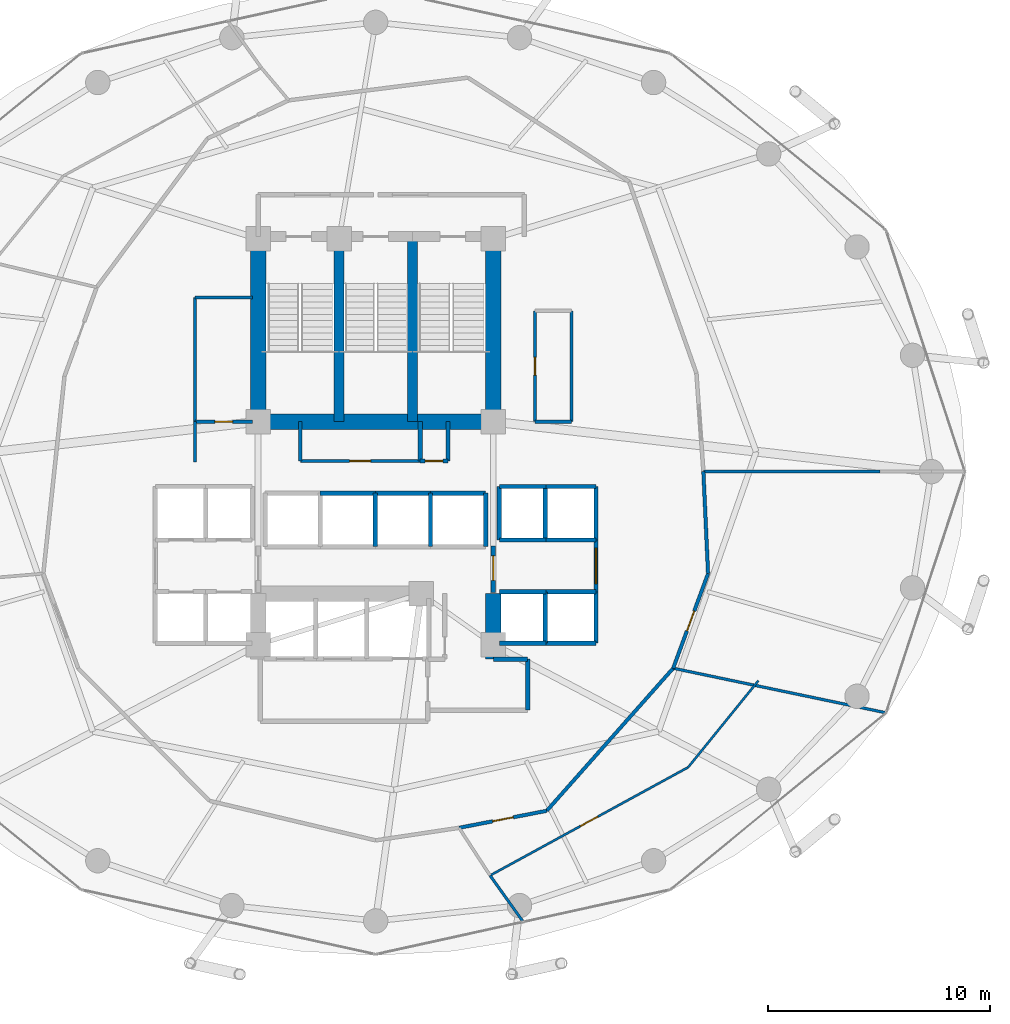
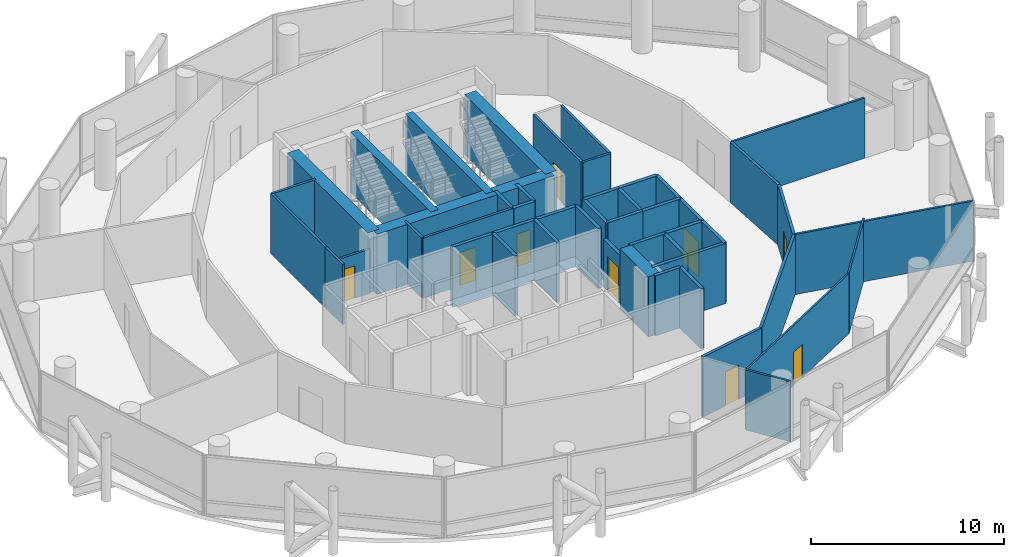
# One storey, part 22 of 24: 50 walls, 9 doors, 9 openings.
"""IFC4 building model written with IfcOpenShell, lengths in metres."""

from ifc_helpers import new_model, si_unit, direction, frame, frame_2d, origin, place, context, subcontext, project, spatial, rectangle, extrude, material, layer, layer_set, type_object, element, fill, save


model = new_model("IFC4")

# Units and contexts
model_context = context("Model", 3, precision=1e-05, world=origin(), true_north=direction((0.0, 1.0)))
body_context = subcontext(model_context, "Body", "Model", "MODEL_VIEW")
ifc_project = project(units=[si_unit("LENGTHUNIT", "METRE"), si_unit("AREAUNIT", "SQUARE_METRE"), si_unit("VOLUMEUNIT", "CUBIC_METRE"), si_unit("PLANEANGLEUNIT", "RADIAN"), si_unit("MASSUNIT", "GRAM", prefix="KILO")], contexts=[model_context])

# Site, building, storey
site_placement = place(None, origin())
site = spatial("IfcSite", under=ifc_project, at=site_placement, CompositionType="ELEMENT")
building_placement = place(site_placement, origin())
building = spatial("IfcBuilding", under=site, at=building_placement, Name="Nuhasar Tower", CompositionType="ELEMENT")
storey_placement = place(building_placement, frame((0.0, 0.0, 81.75)))
storey = spatial("IfcBuildingStorey", under=building, at=storey_placement, Name="L19", CompositionType="ELEMENT", Elevation=81.75)

# Walls
ifc_material_1 = material(Name="Concrete C50/60", Category="concrete")
ifc_layer_1 = layer(ifc_material_1, 0.449951171875)
ifc_layer_set_1 = layer_set([ifc_layer_1], Name="Concrete C50/60")
wall_type_1 = type_object("IfcWallType", Name="WL-CORE-450", PredefinedType="SHEAR", material=ifc_layer_set_1)
for number, where, z_axis, x_axis, name in (
    (1, (37.35009765625, 29.050048828125, 0.0), (0.0, 0.0, 1.0), (0.0, 1.0, 0.0), "L19 Stairwell Shear Wall ST01-E"),
    (2, (40.64990234375, 29.050048828125, 0.0), (0.0, 0.0, 1.0), (0.0, 1.0, 0.0), "L19 Stairwell Shear Wall ST03-E"),
):
    element("IfcWall", number, at=place(storey_placement, frame(where, z_axis=z_axis, x_axis=x_axis)), inside=storey, type_object=wall_type_1, Name=name, PredefinedType="SHEAR", context=body_context, shape_type="SweptSolid", body=[
        extrude(rectangle(XDim=8.349853515625, YDim=0.449951171875, at=frame_2d((4.1748046875, 0.0))), origin(), (0.0, 0.0, 1.0), 3.800048828125),
    ])
ifc_material_2 = material(Name="Concrete C65/80", Category="concrete")
ifc_layer_2 = layer(ifc_material_2, 0.699951171875)
ifc_layer_set_2 = layer_set([ifc_layer_2], Name="Concrete C65/80")
wall_type_2 = type_object("IfcWallType", Name="WL-CORE-700", PredefinedType="SHEAR", material=ifc_layer_set_2)
for number, where, z_axis, x_axis, name in (
    (3, (33.699951171875, 29.050048828125, 0.0), (0.0, 0.0, 1.0), (0.0, 1.0, 0.0), "L19 Core Shear Wall CW-NW CW-700"),
    (4, (44.300048828125, 29.050048828125, 0.0), (0.0, 0.0, 1.0), (0.0, 1.0, 0.0), "L19 Core Shear Wall CW-NE CW-700"),
):
    element("IfcWall", number, at=place(storey_placement, frame(where, z_axis=z_axis, x_axis=x_axis)), inside=storey, type_object=wall_type_2, Name=name, PredefinedType="SHEAR", context=body_context, shape_type="SweptSolid", body=[
        extrude(rectangle(XDim=8.349853515625, YDim=0.699951171875, at=frame_2d((4.1748046875, 0.0))), origin(), (0.0, 0.0, 1.0), 3.800048828125),
    ])
wall_1_placement = place(storey_placement, frame((44.300048828125, 18.35009765625, 0.0), z_axis=(0.0, 0.0, 1.0), x_axis=(0.0, 1.0, 0.0)))
element("IfcWall", 5, at=wall_1_placement, inside=storey, type_object=wall_type_2, Name="L19 Core Shear Wall CW-SE CW-700", PredefinedType="SHEAR", context=body_context, shape_type="SweptSolid", body=[
    extrude(rectangle(XDim=2.949951171875, YDim=0.699951171875, at=frame_2d((1.47509765625, 0.0))), origin(), (0.0, 0.0, 1.0), 3.800048828125),
])
wall_2_placement = place(storey_placement, frame((33.699951171875, 29.050048828125, 0.0), z_axis=(0.0, 0.0, 1.0), x_axis=(1.0, 0.0, 0.0)))
element("IfcWall", 6, at=wall_2_placement, inside=storey, type_object=wall_type_2, Name="L19 Core Shear Wall CW-N1 CW-700", PredefinedType="SHEAR", context=body_context, shape_type="SweptSolid", body=[
    extrude(rectangle(XDim=10.60009765625, YDim=0.699951171875, at=frame_2d((5.300048828125, 0.0))), origin(), (0.0, 0.0, 1.0), 3.800048828125),
])

# Wall, opening, door
ifc_material_3 = material(Name="Gypsum Board", Category="gypsum")
ifc_layer_3 = layer(ifc_material_3, 0.159912109375)
ifc_layer_set_3 = layer_set([ifc_layer_3], Name="Gypsum Board")
wall_type_3 = type_object("IfcWallType", Name="WL-CORR-160", PredefinedType="PARTITIONING", material=ifc_layer_set_3)
wall_3_placement = place(storey_placement, frame((46.7099609375, 11.513916015625, 0.0), z_axis=(0.0, 0.0, 1.0), x_axis=(-0.981643469131, -0.1907251937, 0.0)))
wall_3 = element("IfcWall", 7, at=wall_3_placement, inside=storey, type_object=wall_type_3, Name="L19 Interior Partition CORR-38", PredefinedType="PARTITIONING", context=body_context, shape_type="SweptSolid", body=[
    extrude(rectangle(XDim=4.02587890625, YDim=0.159912109375, at=frame_2d((2.012939453125, 0.0))), origin(), (0.0, 0.0, 1.0), 3.800048828125),
])
opening_1_placement = place(wall_3_placement, frame((1.5380859375, 0.0, 0.0)))
opening_1 = element("IfcOpeningElement", 8, at=opening_1_placement, cuts=wall_3, Name="Opening DO-01", PredefinedType="OPENING", context=body_context, shape_type="SweptSolid", body=[
    extrude(rectangle(XDim=0.949951171875, YDim=2.14990234375, at=frame_2d((0.47509765625, 1.074951171875))), frame((0.0, 0.08984375, 0.0), z_axis=(0.0, -1.0, 0.0), x_axis=(1.0, 0.0, 0.0)), (0.0, 0.0, 1.0), 0.179931640625),
])
ifc_material_4 = material(Name="Timber Oak", Category="wood")
door_type_1 = type_object("IfcDoorType", Name="DR-OFFICE-FD30-950", OperationType="NOTDEFINED", PredefinedType="DOOR", material=ifc_material_4)
door_1_placement = place(opening_1_placement, origin())
door_1 = element("IfcDoor", 9, at=door_1_placement, inside=storey, type_object=door_type_1, Name="L19 Press Briefing Room Entry Door", OperationType="SINGLE_SWING_LEFT", OverallHeight=2.14990234375, OverallWidth=0.949951171875, PredefinedType="DOOR", context=body_context, shape_type="SweptSolid", body=[
    extrude(rectangle(XDim=0.949951171875, YDim=2.14990234375, at=frame_2d((0.47509765625, 1.074951171875))), frame((0.0, 0.02490234375, 0.0), z_axis=(0.0, -1.0, 0.0), x_axis=(1.0, 0.0, 0.0)), (0.0, 0.0, 1.0), 0.050048828125),
])
fill(opening_1, door_1)

# Wall
wall_4_placement = place(storey_placement, frame((46.7099609375, 11.513916015625, 0.0), z_axis=(0.0, 0.0, 1.0), x_axis=(0.663571234799, 0.74811310398, 0.0)))
element("IfcWall", 10, at=wall_4_placement, inside=storey, type_object=wall_type_3, Name="L19 Interior Partition CORR-40", PredefinedType="PARTITIONING", context=body_context, shape_type="SweptSolid", body=[
    extrude(rectangle(XDim=8.58837890625, YDim=0.159912109375, at=frame_2d((4.294189453125, 0.0))), origin(), (0.0, 0.0, 1.0), 3.800048828125),
])

# Wall, opening, door
wall_5_placement = place(storey_placement, frame((53.98095703125, 22.205078125, 0.0), z_axis=(0.0, 0.0, 1.0), x_axis=(-0.345762592588, -0.938322028712, 0.0)))
wall_5 = element("IfcWall", 11, at=wall_5_placement, inside=storey, type_object=wall_type_3, Name="L19 Interior Partition CORR-44", PredefinedType="PARTITIONING", context=body_context, shape_type="SweptSolid", body=[
    extrude(rectangle(XDim=4.546630859375, YDim=0.159912109375, at=frame_2d((2.2734375, 0.0))), origin(), (0.0, 0.0, 1.0), 3.800048828125),
])
opening_2_placement = place(wall_5_placement, frame((1.798095703125, 0.0, 0.0)))
opening_2 = element("IfcOpeningElement", 12, at=opening_2_placement, cuts=wall_5, Name="Opening DO-01", PredefinedType="OPENING", context=body_context, shape_type="SweptSolid", body=[
    extrude(rectangle(XDim=0.949951171875, YDim=2.14990234375, at=frame_2d((0.47509765625, 1.074951171875))), frame((0.0, 0.08984375, 0.0), z_axis=(0.0, -1.0, 0.0), x_axis=(1.0, 0.0, 0.0)), (0.0, 0.0, 1.0), 0.179931640625),
])
door_2_placement = place(opening_2_placement, origin())
door_2 = element("IfcDoor", 13, at=door_2_placement, inside=storey, type_object=door_type_1, Name="L19 Diplomatic Registry Store Entry Door", OperationType="SINGLE_SWING_LEFT", OverallHeight=2.14990234375, OverallWidth=0.949951171875, PredefinedType="DOOR", context=body_context, shape_type="SweptSolid", body=[
    extrude(rectangle(XDim=0.949951171875, YDim=2.14990234375, at=frame_2d((0.47509765625, 1.074951171875))), frame((0.0, 0.02490234375, 0.0), z_axis=(0.0, -1.0, 0.0), x_axis=(1.0, 0.0, 0.0)), (0.0, 0.0, 1.0), 0.050048828125),
])
fill(opening_2, door_2)

# Wall
wall_6_placement = place(storey_placement, frame((53.98095703125, 22.205078125, 0.0), z_axis=(0.0, 0.0, 1.0), x_axis=(-0.045857874173, 0.998947974309, 0.0)))
element("IfcWall", 14, at=wall_6_placement, inside=storey, type_object=wall_type_3, Name="L19 Interior Partition CORR-46", PredefinedType="PARTITIONING", context=body_context, shape_type="SweptSolid", body=[
    extrude(rectangle(XDim=4.599853515625, YDim=0.159912109375, at=frame_2d((2.2998046875, 0.0))), origin(), (0.0, 0.0, 1.0), 3.800048828125),
])

# Wall, opening, door
ifc_material_5 = material(Name="Concrete C45/55", Category="concrete")
ifc_layer_4 = layer(ifc_material_5, 0.199951171875)
ifc_layer_set_4 = layer_set([ifc_layer_4], Name="Concrete C45/55")
wall_type_4 = type_object("IfcWallType", Name="WL-LOBBY-200", PredefinedType="SOLIDWALL", material=ifc_layer_set_4)
wall_7_placement = place(storey_placement, frame((48.929931640625, 21.3798828125, 0.0), z_axis=(0.0, 0.0, 1.0), x_axis=(0.0, 1.0, 0.0)))
wall_7 = element("IfcWall", 15, at=wall_7_placement, inside=storey, type_object=wall_type_4, Name="L19 Interior Partition LLBM-E", PredefinedType="SOLIDWALL", context=body_context, shape_type="SweptSolid", body=[
    extrude(rectangle(XDim=2.340087890625, YDim=0.199951171875, at=frame_2d((1.169921875, 0.0))), origin(), (0.0, 0.0, 1.0), 3.800048828125),
])
opening_3_placement = place(wall_7_placement, frame((0.3701171875, 0.0, 0.0)))
opening_3 = element("IfcOpeningElement", 16, at=opening_3_placement, cuts=wall_7, Name="Opening DC-01", PredefinedType="OPENING", context=body_context, shape_type="SweptSolid", body=[
    extrude(rectangle(XDim=1.60009765625, YDim=2.199951171875, at=frame_2d((0.800048828125, 1.10009765625))), frame((0.0, 0.10986328125, 0.0), z_axis=(0.0, -1.0, 0.0), x_axis=(1.0, 0.0, 0.0)), (0.0, 0.0, 1.0), 0.219970703125),
])
ifc_material_6 = material(Name="Steel S355", Category="steel")
door_type_2 = type_object("IfcDoorType", Name="DR-CORR-FD60-1600", OperationType="DOUBLE_DOOR_SINGLE_SWING", PredefinedType="DOOR", material=ifc_material_6)
door_3_placement = place(opening_3_placement, origin())
door_3 = element("IfcDoor", 17, at=door_3_placement, inside=storey, type_object=door_type_2, Name="L19 Mid-Rise Lift Lobby East Entry", OperationType="DOUBLE_DOOR_SINGLE_SWING", OverallHeight=2.199951171875, OverallWidth=1.60009765625, PredefinedType="DOOR", context=body_context, shape_type="SweptSolid", body=[
    extrude(rectangle(XDim=1.60009765625, YDim=2.199951171875, at=frame_2d((0.800048828125, 1.10009765625))), frame((0.0, 0.02490234375, 0.0), z_axis=(0.0, -1.0, 0.0), x_axis=(1.0, 0.0, 0.0)), (0.0, 0.0, 1.0), 0.050048828125),
])
fill(opening_3, door_3)

wall_8_placement = place(storey_placement, frame((44.300048828125, 21.35009765625, 0.0), z_axis=(0.0, 0.0, 1.0), x_axis=(0.0, 1.0, 0.0)))
wall_8 = element("IfcWall", 18, at=wall_8_placement, inside=storey, type_object=wall_type_4, Name="L19 Interior Partition LLBH-E", PredefinedType="SOLIDWALL", context=body_context, shape_type="SweptSolid", body=[
    extrude(rectangle(XDim=2.099853515625, YDim=0.199951171875, at=frame_2d((1.0498046875, 0.0))), origin(), (0.0, 0.0, 1.0), 3.02001953125),
])
opening_4_placement = place(wall_8_placement, frame((0.550048828125, 0.0, 0.0)))
opening_4 = element("IfcOpeningElement", 19, at=opening_4_placement, cuts=wall_8, Name="Opening DS-02", PredefinedType="OPENING", context=body_context, shape_type="SweptSolid", body=[
    extrude(rectangle(XDim=1.10009765625, YDim=2.14990234375, at=frame_2d((0.550048828125, 1.074951171875))), frame((0.0, 0.10986328125, 0.0), z_axis=(0.0, -1.0, 0.0), x_axis=(1.0, 0.0, 0.0)), (0.0, 0.0, 1.0), 0.219970703125),
])
door_type_3 = type_object("IfcDoorType", Name="DR-FFL-FD120-1100", OperationType="NOTDEFINED", PredefinedType="DOOR", material=ifc_material_6)
door_4_placement = place(opening_4_placement, origin())
door_4 = element("IfcDoor", 20, at=door_4_placement, inside=storey, type_object=door_type_3, Name="L19 High-Rise Lobby East Door", OperationType="SINGLE_SWING_RIGHT", OverallHeight=2.14990234375, OverallWidth=1.10009765625, PredefinedType="DOOR", context=body_context, shape_type="SweptSolid", body=[
    extrude(rectangle(XDim=1.10009765625, YDim=2.14990234375, at=frame_2d((0.550048828125, 1.074951171875))), frame((0.0, 0.02490234375, 0.0), z_axis=(0.0, -1.0, 0.0), x_axis=(1.0, 0.0, 0.0)), (0.0, 0.0, 1.0), 0.050048828125),
])
fill(opening_4, door_4)

# Walls
wall_9_placement = place(storey_placement, frame((45.85009765625, 16.050048828125, 0.0), z_axis=(0.0, 0.0, 1.0), x_axis=(0.0, 1.0, 0.0)))
element("IfcWall", 21, at=wall_9_placement, inside=storey, type_object=wall_type_4, Name="L19 Interior Partition SVLV-E", PredefinedType="SOLIDWALL", context=body_context, shape_type="SweptSolid", body=[
    extrude(rectangle(XDim=2.300048828125, YDim=0.199951171875, at=frame_2d((1.14990234375, 0.0))), origin(), (0.0, 0.0, 1.0), 3.800048828125),
])
wall_10_placement = place(storey_placement, frame((44.300048828125, 18.35009765625, 0.0), z_axis=(0.0, 0.0, 1.0), x_axis=(1.0, 0.0, 0.0)))
element("IfcWall", 22, at=wall_10_placement, inside=storey, type_object=wall_type_4, Name="L19 Interior Partition SVLV-N", PredefinedType="SOLIDWALL", context=body_context, shape_type="SweptSolid", body=[
    extrude(rectangle(XDim=1.550048828125, YDim=0.199951171875, at=frame_2d((0.77490234375, 0.0))), origin(), (0.0, 0.0, 1.0), 3.800048828125),
])

# Wall, opening, door
ifc_material_7 = material(Name="Aluminium 6063-T6", Category="aluminium")
ifc_layer_5 = layer(ifc_material_7, 0.10009765625)
ifc_layer_set_5 = layer_set([ifc_layer_5], Name="Aluminium 6063-T6")
wall_type_5 = type_object("IfcWallType", Name="WL-MOVABLE-100", PredefinedType="MOVABLE", material=ifc_layer_set_5)
wall_11_placement = place(storey_placement, frame((53.083984375, 13.47509765625, 0.0), z_axis=(0.0, 0.0, 1.0), x_axis=(-0.877612050375, -0.479371556349, 0.0)))
wall_11 = element("IfcWall", 23, at=wall_11_placement, inside=storey, type_object=wall_type_5, Name="L19 Interior Partition OMID-05-38", PredefinedType="MOVABLE", context=body_context, shape_type="SweptSolid", body=[
    extrude(rectangle(XDim=10.174072265625, YDim=0.10009765625, at=frame_2d((5.0869140625, 0.0))), origin(), (0.0, 0.0, 1.0), 3.800048828125),
])
opening_5_placement = place(wall_11_placement, frame((4.636962890625, 0.0, 0.0)))
opening_5 = element("IfcOpeningElement", 24, at=opening_5_placement, cuts=wall_11, Name="Opening DR-01", PredefinedType="OPENING", context=body_context, shape_type="SweptSolid", body=[
    extrude(rectangle(XDim=0.89990234375, YDim=2.10009765625, at=frame_2d((0.449951171875, 1.050048828125))), frame((0.0, 0.06005859375, 0.0), z_axis=(0.0, -1.0, 0.0), x_axis=(1.0, 0.0, 0.0)), (0.0, 0.0, 1.0), 0.1201171875),
])
door_type_4 = type_object("IfcDoorType", Name="DR-ROOM-900", OperationType="NOTDEFINED", PredefinedType="DOOR", material=ifc_material_4)
door_5_placement = place(opening_5_placement, origin())
door_5 = element("IfcDoor", 25, at=door_5_placement, inside=storey, type_object=door_type_4, Name="L19 Press Briefing Room Inner Door", OperationType="SINGLE_SWING_LEFT", OverallHeight=2.10009765625, OverallWidth=0.89990234375, PredefinedType="DOOR", context=body_context, shape_type="SweptSolid", body=[
    extrude(rectangle(XDim=0.89990234375, YDim=2.10009765625, at=frame_2d((0.449951171875, 1.050048828125))), frame((0.0, 0.02490234375, 0.0), z_axis=(0.0, -1.0, 0.0), x_axis=(1.0, 0.0, 0.0)), (0.0, 0.0, 1.0), 0.050048828125),
])
fill(opening_5, door_5)

# Walls
wall_12_placement = place(storey_placement, frame((53.083984375, 13.47509765625, 0.0), z_axis=(0.0, 0.0, 1.0), x_axis=(0.62987167678, 0.776699215134, 0.0)))
element("IfcWall", 26, at=wall_12_placement, inside=storey, type_object=wall_type_5, Name="L19 Interior Partition OMID-05-42", PredefinedType="MOVABLE", context=body_context, shape_type="SweptSolid", body=[
    extrude(rectangle(XDim=5.02490234375, YDim=0.10009765625, at=frame_2d((2.512451171875, 0.0))), origin(), (0.0, 0.0, 1.0), 3.800048828125),
])
ifc_layer_6 = layer(ifc_material_3, 0.125)
ifc_layer_set_6 = layer_set([ifc_layer_6], Name="Gypsum Board")
wall_type_6 = type_object("IfcWallType", Name="WL-PART-125", PredefinedType="PARTITIONING", material=ifc_layer_set_6)
wall_13_placement = place(storey_placement, frame((53.77001953125, 26.800048828125, 0.0), z_axis=(0.0, 0.0, 1.0), x_axis=(1.0, 0.0, 0.0)))
element("IfcWall", 27, at=wall_13_placement, inside=storey, type_object=wall_type_6, Name="L19 Interior Partition ORAD-00", PredefinedType="PARTITIONING", context=body_context, shape_type="SweptSolid", body=[
    extrude(rectangle(XDim=7.9599609375, YDim=0.125, at=frame_2d((3.97998046875, 0.0))), origin(), (0.0, 0.0, 1.0), 3.800048828125),
])
wall_14_placement = place(storey_placement, frame((44.155029296875, 8.597900390625, 0.0), z_axis=(0.0, 0.0, 1.0), x_axis=(0.581238193719, -0.813733471207, 0.0)))
element("IfcWall", 28, at=wall_14_placement, inside=storey, type_object=wall_type_6, Name="L19 Interior Partition ORAD-38-S2", PredefinedType="PARTITIONING", context=body_context, shape_type="SweptSolid", body=[
    extrude(rectangle(XDim=2.541259765625, YDim=0.125, at=frame_2d((1.2705078125, 0.0))), origin(), (0.0, 0.0, 1.0), 3.800048828125),
])
wall_15_placement = place(storey_placement, frame((52.408935546875, 17.93896484375, 0.0), z_axis=(0.0, 0.0, 1.0), x_axis=(0.978778270652, -0.204922172786, 0.0)))
element("IfcWall", 29, at=wall_15_placement, inside=storey, type_object=wall_type_6, Name="L19 Interior Partition ORAD-44", PredefinedType="PARTITIONING", context=body_context, shape_type="SweptSolid", body=[
    extrude(rectangle(XDim=9.769287109375, YDim=0.125, at=frame_2d((4.884765625, 0.0))), origin(), (0.0, 0.0, 1.0), 3.800048828125),
])
ifc_layer_7 = layer(ifc_material_5, 0.199951171875)
ifc_layer_set_7 = layer_set([ifc_layer_7], Name="Concrete C45/55")
wall_type_7 = type_object("IfcWallType", Name="WL-SHAFT-200", PredefinedType="SOLIDWALL", material=ifc_layer_set_7)
for number, where, z_axis, x_axis, name in (
    (30, (41.0, 27.280029296875, 0.0), (0.0, 0.0, 1.0), (0.0, 1.0, 0.0), "L19 Interior Partition RSRN-W"),
    (31, (42.260009765625, 27.280029296875, 0.0), (0.0, 0.0, 1.0), (0.0, 1.0, 0.0), "L19 Interior Partition RSRN-E"),
):
    element("IfcWall", number, at=place(storey_placement, frame(where, z_axis=z_axis, x_axis=x_axis)), inside=storey, type_object=wall_type_7, Name=name, PredefinedType="SOLIDWALL", context=body_context, shape_type="SweptSolid", body=[
        extrude(rectangle(XDim=1.77001953125, YDim=0.199951171875, at=frame_2d((0.885009765625, 0.0))), origin(), (0.0, 0.0, 1.0), 3.800048828125),
    ])

# Wall, opening, door
wall_16_placement = place(storey_placement, frame((41.0, 27.280029296875, 0.0), z_axis=(0.0, 0.0, 1.0), x_axis=(1.0, 0.0, 0.0)))
wall_16 = element("IfcWall", 32, at=wall_16_placement, inside=storey, type_object=wall_type_7, Name="L19 Interior Partition RSRN-S", PredefinedType="SOLIDWALL", context=body_context, shape_type="SweptSolid", body=[
    extrude(rectangle(XDim=1.260009765625, YDim=0.199951171875, at=frame_2d((0.6298828125, 0.0))), origin(), (0.0, 0.0, 1.0), 3.800048828125),
])
opening_6_placement = place(wall_16_placement, frame((0.22998046875, 0.0, 0.0)))
opening_6 = element("IfcOpeningElement", 33, at=opening_6_placement, cuts=wall_16, Name="Opening DM-01", PredefinedType="OPENING", context=body_context, shape_type="SweptSolid", body=[
    extrude(rectangle(XDim=0.800048828125, YDim=2.050048828125, at=frame_2d((0.39990234375, 1.02490234375))), frame((0.0, 0.10986328125, 0.0), z_axis=(0.0, -1.0, 0.0), x_axis=(1.0, 0.0, 0.0)), (0.0, 0.0, 1.0), 0.219970703125),
])
door_type_5 = type_object("IfcDoorType", Name="DR-RISER-FD60-800", OperationType="NOTDEFINED", PredefinedType="DOOR", material=ifc_material_6)
door_6_placement = place(opening_6_placement, origin())
door_6 = element("IfcDoor", 34, at=door_6_placement, inside=storey, type_object=door_type_5, Name="L19 North Smoke Riser Door", OperationType="SINGLE_SWING_RIGHT", OverallHeight=2.050048828125, OverallWidth=0.800048828125, PredefinedType="DOOR", context=body_context, shape_type="SweptSolid", body=[
    extrude(rectangle(XDim=0.800048828125, YDim=2.050048828125, at=frame_2d((0.39990234375, 1.02490234375))), frame((0.0, 0.02490234375, 0.0), z_axis=(0.0, -1.0, 0.0), x_axis=(1.0, 0.0, 0.0)), (0.0, 0.0, 1.0), 0.050048828125),
])
fill(opening_6, door_6)

# Walls
for number, where, z_axis, x_axis, name in (
    (35, (44.570068359375, 23.719970703125, 0.0), (0.0, 0.0, 1.0), (1.0, 0.0, 0.0), "L19 Interior Partition SHF-PL-M01-S"),
    (36, (44.570068359375, 26.1298828125, 0.0), (0.0, 0.0, 1.0), (1.0, 0.0, 0.0), "L19 Interior Partition SHF-PL-M01-N"),
):
    element("IfcWall", number, at=place(storey_placement, frame(where, z_axis=z_axis, x_axis=x_axis)), inside=storey, type_object=wall_type_7, Name=name, PredefinedType="SOLIDWALL", context=body_context, shape_type="SweptSolid", body=[
        extrude(rectangle(XDim=2.10986328125, YDim=0.199951171875, at=frame_2d((1.054931640625, 0.0))), origin(), (0.0, 0.0, 1.0), 3.800048828125),
    ])
for number, where, z_axis, x_axis, name in (
    (37, (44.570068359375, 23.719970703125, 0.0), (0.0, 0.0, 1.0), (0.0, 1.0, 0.0), "L19 Interior Partition SHF-PL-M01-W"),
    (38, (46.64990234375, 23.719970703125, 0.0), (0.0, 0.0, 1.0), (0.0, 1.0, 0.0), "L19 Interior Partition SHF-PL-M01-E"),
):
    element("IfcWall", number, at=place(storey_placement, frame(where, z_axis=z_axis, x_axis=x_axis)), inside=storey, type_object=wall_type_7, Name=name, PredefinedType="SOLIDWALL", context=body_context, shape_type="SweptSolid", body=[
        extrude(rectangle(XDim=2.409912109375, YDim=0.199951171875, at=frame_2d((1.205078125, 0.0))), origin(), (0.0, 0.0, 1.0), 3.800048828125),
    ])
for number, where, z_axis, x_axis, name in (
    (39, (46.6201171875, 23.719970703125, 0.0), (0.0, 0.0, 1.0), (1.0, 0.0, 0.0), "L19 Interior Partition SHF-PL-M02-S"),
    (40, (46.6201171875, 26.1298828125, 0.0), (0.0, 0.0, 1.0), (1.0, 0.0, 0.0), "L19 Interior Partition SHF-PL-M02-N"),
):
    element("IfcWall", number, at=place(storey_placement, frame(where, z_axis=z_axis, x_axis=x_axis)), inside=storey, type_object=wall_type_7, Name=name, PredefinedType="SOLIDWALL", context=body_context, shape_type="SweptSolid", body=[
        extrude(rectangle(XDim=2.309814453125, YDim=0.199951171875, at=frame_2d((1.15478515625, 0.0))), origin(), (0.0, 0.0, 1.0), 3.800048828125),
    ])
wall_17_placement = place(storey_placement, frame((48.929931640625, 23.719970703125, 0.0), z_axis=(0.0, 0.0, 1.0), x_axis=(0.0, 1.0, 0.0)))
element("IfcWall", 41, at=wall_17_placement, inside=storey, type_object=wall_type_7, Name="L19 Interior Partition SHF-PL-M02-E", PredefinedType="SOLIDWALL", context=body_context, shape_type="SweptSolid", body=[
    extrude(rectangle(XDim=2.409912109375, YDim=0.199951171875, at=frame_2d((1.205078125, 0.0))), origin(), (0.0, 0.0, 1.0), 3.800048828125),
])
for number, where, z_axis, x_axis, name in (
    (42, (44.570068359375, 19.070068359375, 0.0), (0.0, 0.0, 1.0), (1.0, 0.0, 0.0), "L19 Interior Partition SHF-PL-M03-S"),
    (43, (44.570068359375, 21.3798828125, 0.0), (0.0, 0.0, 1.0), (1.0, 0.0, 0.0), "L19 Interior Partition SHF-PL-M03-N"),
):
    element("IfcWall", number, at=place(storey_placement, frame(where, z_axis=z_axis, x_axis=x_axis)), inside=storey, type_object=wall_type_7, Name=name, PredefinedType="SOLIDWALL", context=body_context, shape_type="SweptSolid", body=[
        extrude(rectangle(XDim=2.10986328125, YDim=0.199951171875, at=frame_2d((1.054931640625, 0.0))), origin(), (0.0, 0.0, 1.0), 3.800048828125),
    ])
for number, where, z_axis, x_axis, name in (
    (44, (46.64990234375, 19.070068359375, 0.0), (0.0, 0.0, 1.0), (0.0, 1.0, 0.0), "L19 Interior Partition SHF-PL-M03-E"),
    (45, (46.6201171875, 19.070068359375, 0.0), (0.0, 0.0, 1.0), (1.0, 0.0, 0.0), "L19 Interior Partition SHF-PL-M04-S"),
    (46, (46.6201171875, 21.3798828125, 0.0), (0.0, 0.0, 1.0), (1.0, 0.0, 0.0), "L19 Interior Partition SHF-PL-M04-N"),
    (47, (48.929931640625, 19.070068359375, 0.0), (0.0, 0.0, 1.0), (0.0, 1.0, 0.0), "L19 Interior Partition SHF-PL-M04-E"),
):
    element("IfcWall", number, at=place(storey_placement, frame(where, z_axis=z_axis, x_axis=x_axis)), inside=storey, type_object=wall_type_7, Name=name, PredefinedType="SOLIDWALL", context=body_context, shape_type="SweptSolid", body=[
        extrude(rectangle(XDim=2.309814453125, YDim=0.199951171875, at=frame_2d((1.15478515625, 0.0))), origin(), (0.0, 0.0, 1.0), 3.800048828125),
    ])
wall_18_placement = place(storey_placement, frame((36.5, 25.830078125, 0.0), z_axis=(0.0, 0.0, 1.0), x_axis=(1.0, 0.0, 0.0)))
element("IfcWall", 48, at=wall_18_placement, inside=storey, type_object=wall_type_7, Name="L19 Interior Partition SHF-PL-H02-N", PredefinedType="SOLIDWALL", context=body_context, shape_type="SweptSolid", body=[
    extrude(rectangle(XDim=2.5, YDim=0.199951171875, at=frame_2d((1.25, 0.0))), origin(), (0.0, 0.0, 1.0), 3.800048828125),
])
wall_19_placement = place(storey_placement, frame((38.989990234375, 23.419921875, 0.0), z_axis=(0.0, 0.0, 1.0), x_axis=(0.0, 1.0, 0.0)))
element("IfcWall", 49, at=wall_19_placement, inside=storey, type_object=wall_type_7, Name="L19 Interior Partition SHF-PL-H02-E", PredefinedType="SOLIDWALL", context=body_context, shape_type="SweptSolid", body=[
    extrude(rectangle(XDim=2.41015625, YDim=0.199951171875, at=frame_2d((1.205078125, 0.0))), origin(), (0.0, 0.0, 1.0), 3.800048828125),
])
wall_20_placement = place(storey_placement, frame((38.97998046875, 25.830078125, 0.0), z_axis=(0.0, 0.0, 1.0), x_axis=(1.0, 0.0, 0.0)))
element("IfcWall", 50, at=wall_20_placement, inside=storey, type_object=wall_type_7, Name="L19 Interior Partition SHF-PL-H03-N", PredefinedType="SOLIDWALL", context=body_context, shape_type="SweptSolid", body=[
    extrude(rectangle(XDim=2.5, YDim=0.199951171875, at=frame_2d((1.25, 0.0))), origin(), (0.0, 0.0, 1.0), 3.800048828125),
])
wall_21_placement = place(storey_placement, frame((41.469970703125, 23.419921875, 0.0), z_axis=(0.0, 0.0, 1.0), x_axis=(0.0, 1.0, 0.0)))
element("IfcWall", 51, at=wall_21_placement, inside=storey, type_object=wall_type_7, Name="L19 Interior Partition SHF-PL-H03-E", PredefinedType="SOLIDWALL", context=body_context, shape_type="SweptSolid", body=[
    extrude(rectangle(XDim=2.41015625, YDim=0.199951171875, at=frame_2d((1.205078125, 0.0))), origin(), (0.0, 0.0, 1.0), 3.800048828125),
])
wall_22_placement = place(storey_placement, frame((41.4599609375, 25.830078125, 0.0), z_axis=(0.0, 0.0, 1.0), x_axis=(1.0, 0.0, 0.0)))
element("IfcWall", 52, at=wall_22_placement, inside=storey, type_object=wall_type_7, Name="L19 Interior Partition SHF-PL-H04-N", PredefinedType="SOLIDWALL", context=body_context, shape_type="SweptSolid", body=[
    extrude(rectangle(XDim=2.5, YDim=0.199951171875, at=frame_2d((1.25, 0.0))), origin(), (0.0, 0.0, 1.0), 3.800048828125),
])
wall_23_placement = place(storey_placement, frame((43.9599609375, 23.419921875, 0.0), z_axis=(0.0, 0.0, 1.0), x_axis=(0.0, 1.0, 0.0)))
element("IfcWall", 53, at=wall_23_placement, inside=storey, type_object=wall_type_7, Name="L19 Interior Partition SHF-PL-H04-E", PredefinedType="SOLIDWALL", context=body_context, shape_type="SweptSolid", body=[
    extrude(rectangle(XDim=2.41015625, YDim=0.199951171875, at=frame_2d((1.205078125, 0.0))), origin(), (0.0, 0.0, 1.0), 3.800048828125),
])
ifc_material_8 = material(Name="Concrete C40/50 precast", Category="concrete")
ifc_layer_8 = layer(ifc_material_8, 0.139892578125)
ifc_layer_set_8 = layer_set([ifc_layer_8], Name="Concrete C40/50 precast")
wall_type_8 = type_object("IfcWallType", Name="WL-WET-140", PredefinedType="PARTITIONING", material=ifc_layer_set_8)
wall_24_placement = place(storey_placement, frame((35.60009765625, 27.280029296875, 0.0), z_axis=(0.0, 0.0, 1.0), x_axis=(0.0, 1.0, 0.0)))
element("IfcWall", 54, at=wall_24_placement, inside=storey, type_object=wall_type_8, Name="L19 Interior Partition CSVC-W", PredefinedType="PARTITIONING", context=body_context, shape_type="SweptSolid", body=[
    extrude(rectangle(XDim=1.77001953125, YDim=0.139892578125, at=frame_2d((0.885009765625, 0.0))), origin(), (0.0, 0.0, 1.0), 3.800048828125),
])

# Wall, opening, door
wall_25_placement = place(storey_placement, frame((35.60009765625, 27.280029296875, 0.0), z_axis=(0.0, 0.0, 1.0), x_axis=(1.0, 0.0, 0.0)))
wall_25 = element("IfcWall", 55, at=wall_25_placement, inside=storey, type_object=wall_type_8, Name="L19 Interior Partition CSVC-S", PredefinedType="PARTITIONING", context=body_context, shape_type="SweptSolid", body=[
    extrude(rectangle(XDim=5.39990234375, YDim=0.139892578125, at=frame_2d((2.699951171875, 0.0))), origin(), (0.0, 0.0, 1.0), 3.800048828125),
])
opening_7_placement = place(wall_25_placement, frame((2.22509765625, 0.0, 0.0)))
opening_7 = element("IfcOpeningElement", 56, at=opening_7_placement, cuts=wall_25, Name="Opening DA-01", PredefinedType="OPENING", context=body_context, shape_type="SweptSolid", body=[
    extrude(rectangle(XDim=0.949951171875, YDim=2.10009765625, at=frame_2d((0.47509765625, 1.050048828125))), frame((0.0, 0.080078125, 0.0), z_axis=(0.0, -1.0, 0.0), x_axis=(1.0, 0.0, 0.0)), (0.0, 0.0, 1.0), 0.159912109375),
])
door_type_6 = type_object("IfcDoorType", Name="DR-ACCWC-950", OperationType="NOTDEFINED", PredefinedType="DOOR", material=ifc_material_4)
door_7_placement = place(opening_7_placement, origin())
door_7 = element("IfcDoor", 57, at=door_7_placement, inside=storey, type_object=door_type_6, Name="L19 Core Accessible Restroom Door", OperationType="SINGLE_SWING_RIGHT", OverallHeight=2.10009765625, OverallWidth=0.949951171875, PredefinedType="DOOR", context=body_context, shape_type="SweptSolid", body=[
    extrude(rectangle(XDim=0.949951171875, YDim=2.10009765625, at=frame_2d((0.47509765625, 1.050048828125))), frame((0.0, 0.02490234375, 0.0), z_axis=(0.0, -1.0, 0.0), x_axis=(1.0, 0.0, 0.0)), (0.0, 0.0, 1.0), 0.050048828125),
])
fill(opening_7, door_7)

# Wall
wall_26_placement = place(storey_placement, frame((30.85009765625, 27.239990234375, 0.0), z_axis=(0.0, 0.0, 1.0), x_axis=(0.0, 1.0, 0.0)))
element("IfcWall", 58, at=wall_26_placement, inside=storey, type_object=wall_type_8, Name="L19 Interior Partition K3-FOY-W", PredefinedType="PARTITIONING", context=body_context, shape_type="SweptSolid", body=[
    extrude(rectangle(XDim=1.81005859375, YDim=0.139892578125, at=frame_2d((0.905029296875, 0.0))), origin(), (0.0, 0.0, 1.0), 3.800048828125),
])

# Wall, opening, door
wall_27_placement = place(storey_placement, frame((30.85009765625, 29.050048828125, 0.0), z_axis=(0.0, 0.0, 1.0), x_axis=(1.0, 0.0, 0.0)))
wall_27 = element("IfcWall", 59, at=wall_27_placement, inside=storey, type_object=wall_type_8, Name="L19 Interior Partition K3-NW-S", PredefinedType="PARTITIONING", context=body_context, shape_type="SweptSolid", body=[
    extrude(rectangle(XDim=2.599853515625, YDim=0.139892578125, at=frame_2d((1.2998046875, 0.0))), origin(), (0.0, 0.0, 1.0), 2.7900390625),
])
opening_8_placement = place(wall_27_placement, frame((0.89990234375, 0.0, 0.0)))
opening_8 = element("IfcOpeningElement", 60, at=opening_8_placement, cuts=wall_27, Name="Opening DM-01", PredefinedType="OPENING", context=body_context, shape_type="SweptSolid", body=[
    extrude(rectangle(XDim=0.800048828125, YDim=2.050048828125, at=frame_2d((0.39990234375, 1.02490234375))), frame((0.0, 0.080078125, 0.0), z_axis=(0.0, -1.0, 0.0), x_axis=(1.0, 0.0, 0.0)), (0.0, 0.0, 1.0), 0.159912109375),
])
door_8_placement = place(opening_8_placement, origin())
door_8 = element("IfcDoor", 61, at=door_8_placement, inside=storey, type_object=door_type_5, Name="L19 NW Electrical Room Door", OperationType="SINGLE_SWING_RIGHT", OverallHeight=2.050048828125, OverallWidth=0.800048828125, PredefinedType="DOOR", context=body_context, shape_type="SweptSolid", body=[
    extrude(rectangle(XDim=0.800048828125, YDim=2.050048828125, at=frame_2d((0.39990234375, 1.02490234375))), frame((0.0, 0.02490234375, 0.0), z_axis=(0.0, -1.0, 0.0), x_axis=(1.0, 0.0, 0.0)), (0.0, 0.0, 1.0), 0.050048828125),
])
fill(opening_8, door_8)

# Walls
wall_28_placement = place(storey_placement, frame((30.85009765625, 34.64990234375, 0.0), z_axis=(0.0, 0.0, 1.0), x_axis=(1.0, 0.0, 0.0)))
element("IfcWall", 62, at=wall_28_placement, inside=storey, type_object=wall_type_8, Name="L19 Interior Partition K3-NW-N", PredefinedType="PARTITIONING", context=body_context, shape_type="SweptSolid", body=[
    extrude(rectangle(XDim=2.599853515625, YDim=0.139892578125, at=frame_2d((1.2998046875, 0.0))), origin(), (0.0, 0.0, 1.0), 3.800048828125),
])
wall_29_placement = place(storey_placement, frame((30.85009765625, 29.050048828125, 0.0), z_axis=(0.0, 0.0, 1.0), x_axis=(0.0, 1.0, 0.0)))
element("IfcWall", 63, at=wall_29_placement, inside=storey, type_object=wall_type_8, Name="L19 Interior Partition K3-NW-W", PredefinedType="PARTITIONING", context=body_context, shape_type="SweptSolid", body=[
    extrude(rectangle(XDim=5.599853515625, YDim=0.139892578125, at=frame_2d((2.7998046875, 0.0))), origin(), (0.0, 0.0, 1.0), 3.800048828125),
])

# Wall, opening, door
wall_30_placement = place(storey_placement, frame((46.179931640625, 34.050048828125, 0.0), z_axis=(0.0, 0.0, 1.0), x_axis=(0.0, -1.0, 0.0)))
wall_30 = element("IfcWall", 64, at=wall_30_placement, inside=storey, type_object=wall_type_8, Name="L19 Interior Partition K3-NE-W", PredefinedType="PARTITIONING", context=body_context, shape_type="SweptSolid", body=[
    extrude(rectangle(XDim=5.0, YDim=0.139892578125, at=frame_2d((2.5, 0.0))), origin(), (0.0, 0.0, 1.0), 3.800048828125),
])
opening_9_placement = place(wall_30_placement, frame((2.10009765625, 0.0, 0.0)))
opening_9 = element("IfcOpeningElement", 65, at=opening_9_placement, cuts=wall_30, Name="Opening DM-01", PredefinedType="OPENING", context=body_context, shape_type="SweptSolid", body=[
    extrude(rectangle(XDim=0.800048828125, YDim=2.050048828125, at=frame_2d((0.39990234375, 1.02490234375))), frame((0.0, 0.080078125, 0.0), z_axis=(0.0, -1.0, 0.0), x_axis=(1.0, 0.0, 0.0)), (0.0, 0.0, 1.0), 0.159912109375),
])
door_9_placement = place(opening_9_placement, origin())
door_9 = element("IfcDoor", 66, at=door_9_placement, inside=storey, type_object=door_type_5, Name="L19 NE Switchgear Room Door", OperationType="SINGLE_SWING_LEFT", OverallHeight=2.050048828125, OverallWidth=0.800048828125, PredefinedType="DOOR", context=body_context, shape_type="SweptSolid", body=[
    extrude(rectangle(XDim=0.800048828125, YDim=2.050048828125, at=frame_2d((0.39990234375, 1.02490234375))), frame((0.0, 0.02490234375, 0.0), z_axis=(0.0, -1.0, 0.0), x_axis=(1.0, 0.0, 0.0)), (0.0, 0.0, 1.0), 0.050048828125),
])
fill(opening_9, door_9)

# Walls
wall_31_placement = place(storey_placement, frame((46.179931640625, 29.050048828125, 0.0), z_axis=(0.0, 0.0, 1.0), x_axis=(1.0, 0.0, 0.0)))
element("IfcWall", 67, at=wall_31_placement, inside=storey, type_object=wall_type_8, Name="L19 Interior Partition K3-NE-S", PredefinedType="PARTITIONING", context=body_context, shape_type="SweptSolid", body=[
    extrude(rectangle(XDim=1.64013671875, YDim=0.139892578125, at=frame_2d((0.820068359375, 0.0))), origin(), (0.0, 0.0, 1.0), 3.800048828125),
])
wall_32_placement = place(storey_placement, frame((47.820068359375, 29.050048828125, 0.0), z_axis=(0.0, 0.0, 1.0), x_axis=(0.0, 1.0, 0.0)))
element("IfcWall", 68, at=wall_32_placement, inside=storey, type_object=wall_type_8, Name="L19 Interior Partition K3-NE-E", PredefinedType="PARTITIONING", context=body_context, shape_type="SweptSolid", body=[
    extrude(rectangle(XDim=5.0, YDim=0.139892578125, at=frame_2d((2.5, 0.0))), origin(), (0.0, 0.0, 1.0), 3.800048828125),
])

save(model, "model.ifc")
